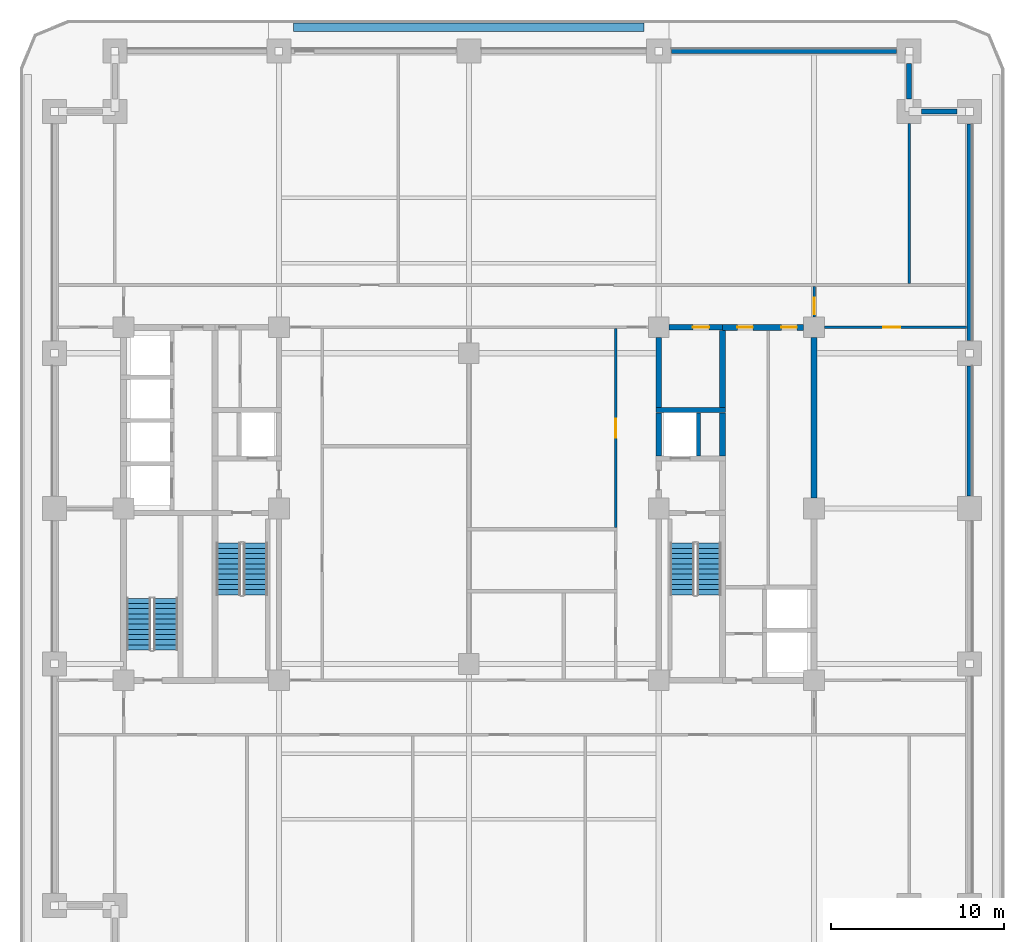
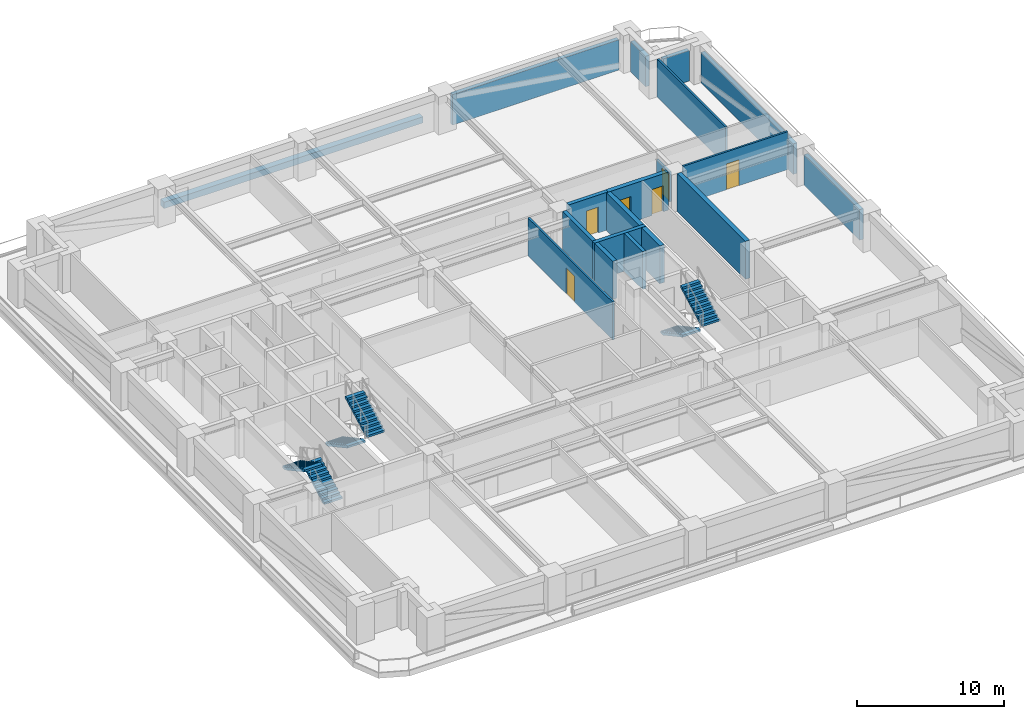
# One storey, part 5 of 12: 19 walls, 6 doors, 6 stair flights, 6 openings, 3 elements without a shape of their own.
"""IFC4 building model written with IfcOpenShell, lengths in metres."""

from ifc_helpers import new_model, si_unit, direction, frame, frame_2d, origin, place, context, subcontext, project, spatial, polyline, rectangle, outline, extrude, material, layer, layer_set, type_object, element, fill, aggregate, save


model = new_model("IFC4")

# Units and contexts
model_context = context("Model", 3, precision=1e-05, world=origin(), true_north=direction((0.0, 1.0)))
body_context = subcontext(model_context, "Body", "Model", "MODEL_VIEW")
ifc_project = project(units=[si_unit("LENGTHUNIT", "METRE"), si_unit("AREAUNIT", "SQUARE_METRE"), si_unit("VOLUMEUNIT", "CUBIC_METRE"), si_unit("PLANEANGLEUNIT", "RADIAN"), si_unit("MASSUNIT", "GRAM", prefix="KILO")], contexts=[model_context])

# Site, building, storey
site_placement = place(None, origin())
site = spatial("IfcSite", under=ifc_project, at=site_placement, CompositionType="ELEMENT")
building_placement = place(site_placement, origin())
building = spatial("IfcBuilding", under=site, at=building_placement, Name="Zulmaris Gate Convention Tower", CompositionType="ELEMENT")
storey_placement = place(building_placement, frame((0.0, 0.0, 48.6201171875)))
storey = spatial("IfcBuildingStorey", under=building, at=storey_placement, Name="L11", CompositionType="ELEMENT", Elevation=48.6201171875)

# Walls
ifc_material_1 = material(Name="Concrete C50/60", Category="concrete")
ifc_layer_1 = layer(ifc_material_1, 0.25, Name="Concrete C50/60")
ifc_layer_set_1 = layer_set([ifc_layer_1], Name="Concrete C50/60")
wall_type_1 = type_object("IfcWallType", Name="CORE-250", PredefinedType="SOLIDWALL", material=ifc_layer_set_1)
wall_1_placement = place(storey_placement, frame((13.300048828125, 3.052001953125, 0.0), z_axis=(0.0, 0.0, 1.0), x_axis=(0.0, 1.0, 0.0)))
element("IfcWall", 1, at=wall_1_placement, inside=storey, type_object=wall_type_1, Name="WL-L11-059", PredefinedType="SOLIDWALL", context=body_context, shape_type="SweptSolid", body=[
    extrude(rectangle(XDim=2.49609375, YDim=0.25, at=frame_2d((1.248046875, 0.0))), origin(), (0.0, 0.0, 1.0), 3.144775390625),
])
ifc_layer_2 = layer(ifc_material_1, 0.300048828125, Name="Concrete C50/60")
ifc_layer_set_2 = layer_set([ifc_layer_2], Name="Concrete C50/60")
wall_type_2 = type_object("IfcWallType", Name="CORE-300", PredefinedType="SHEAR", material=ifc_layer_set_2)
wall_2_placement = place(storey_placement, frame((10.85009765625, 5.699951171875, 0.0), z_axis=(0.0, 0.0, 1.0), x_axis=(1.0, 0.0, 0.0)))
element("IfcWall", 2, at=wall_2_placement, inside=storey, type_object=wall_type_2, Name="WL-L11-014", PredefinedType="SHEAR", context=body_context, shape_type="SweptSolid", body=[
    extrude(rectangle(XDim=4.02490234375, YDim=0.300048828125, at=frame_2d((2.012451171875, 0.0))), origin(), (0.0, 0.0, 1.0), 3.144775390625),
])

# Wall, opening, door
wall_3_placement = place(storey_placement, frame((11.60400390625, 10.5, 0.0), z_axis=(0.0, 0.0, 1.0), x_axis=(1.0, 0.0, 0.0)))
wall_3 = element("IfcWall", 3, at=wall_3_placement, inside=storey, type_object=wall_type_2, Name="WL-L11-018", PredefinedType="SHEAR", context=body_context, shape_type="SweptSolid", body=[
    extrude(rectangle(XDim=3.095947265625, YDim=0.300048828125, at=frame_2d((1.5478515625, 0.0))), origin(), (0.0, 0.0, 1.0), 3.144775390625),
])
opening_1_placement = place(wall_3_placement, frame((1.37109375, 0.0, 0.0)))
opening_1 = element("IfcOpeningElement", 4, at=opening_1_placement, cuts=wall_3, Name="Opening D-11", PredefinedType="OPENING", context=body_context, shape_type="SweptSolid", body=[
    extrude(rectangle(XDim=0.949951171875, YDim=2.14990234375, at=frame_2d((0.47509765625, 1.074951171875))), frame((0.0, 0.16015625, 0.0), z_axis=(0.0, -1.0, 0.0), x_axis=(1.0, 0.0, 0.0)), (0.0, 0.0, 1.0), 0.320068359375),
])
ifc_material_2 = material(Name="Fire-Rated Timber", Category="wood")
door_type_1 = type_object("IfcDoorType", Name="DR-950-FD", OperationType="NOTDEFINED", PredefinedType="DOOR", material=ifc_material_2)
door_1_placement = place(opening_1_placement, origin())
door_1 = element("IfcDoor", 5, at=door_1_placement, inside=storey, type_object=door_type_1, Name="L11 Core Tea Pantry Door 09", OperationType="SINGLE_SWING_RIGHT", OverallHeight=2.14990234375, OverallWidth=0.949951171875, PredefinedType="DOOR", context=body_context, shape_type="SweptSolid", body=[
    extrude(rectangle(XDim=0.949951171875, YDim=2.14990234375, at=frame_2d((0.47509765625, 1.074951171875))), frame((0.0, 0.02490234375, 0.0), z_axis=(0.0, -1.0, 0.0), x_axis=(1.0, 0.0, 0.0)), (0.0, 0.0, 1.0), 0.050048828125),
])
fill(opening_1, door_1)

# Walls
wall_4_placement = place(storey_placement, frame((11.0, 3.052001953125, 0.0), z_axis=(0.0, 0.0, 1.0), x_axis=(0.0, 1.0, 0.0)))
element("IfcWall", 6, at=wall_4_placement, inside=storey, type_object=wall_type_2, Name="WL-L11-056", PredefinedType="SHEAR", context=body_context, shape_type="SweptSolid", body=[
    extrude(rectangle(XDim=2.49609375, YDim=0.300048828125, at=frame_2d((1.248046875, 0.0))), origin(), (0.0, 0.0, 1.0), 3.144775390625),
])
wall_5_placement = place(storey_placement, frame((11.0, 5.85205078125, 0.0), z_axis=(0.0, 0.0, 1.0), x_axis=(0.0, 1.0, 0.0)))
element("IfcWall", 7, at=wall_5_placement, inside=storey, type_object=wall_type_2, Name="WL-L11-057", PredefinedType="SHEAR", context=body_context, shape_type="SweptSolid", body=[
    extrude(rectangle(XDim=4.0439453125, YDim=0.300048828125, at=frame_2d((2.02197265625, 0.0))), origin(), (0.0, 0.0, 1.0), 3.144775390625),
])

# Wall, openings, doors
ifc_material_3 = material(Name="Concrete C55/67", Category="concrete")
ifc_layer_3 = layer(ifc_material_3, 0.35009765625, Name="Concrete C55/67")
ifc_layer_set_3 = layer_set([ifc_layer_3], Name="Concrete C55/67")
wall_type_3 = type_object("IfcWallType", Name="CORE-350", PredefinedType="SHEAR", material=ifc_layer_set_3)
wall_6_placement = place(storey_placement, frame((14.699951171875, 10.5, 0.0), z_axis=(0.0, 0.0, 1.0), x_axis=(1.0, 0.0, 0.0)))
wall_6 = element("IfcWall", 8, at=wall_6_placement, inside=storey, type_object=wall_type_3, Name="WL-L11-019", PredefinedType="SHEAR", context=body_context, shape_type="SweptSolid", body=[
    extrude(rectangle(XDim=4.696044921875, YDim=0.35009765625, at=frame_2d((2.34814453125, 0.0))), origin(), (0.0, 0.0, 1.0), 3.144775390625),
])
opening_2_placement = place(wall_6_placement, frame((0.85009765625, 0.0, 0.0)))
opening_2 = element("IfcOpeningElement", 9, at=opening_2_placement, cuts=wall_6, Name="Opening D-12", PredefinedType="OPENING", context=body_context, shape_type="SweptSolid", body=[
    extrude(rectangle(XDim=0.89990234375, YDim=2.14990234375, at=frame_2d((0.449951171875, 1.074951171875))), frame((0.0, 0.18505859375, 0.0), z_axis=(0.0, -1.0, 0.0), x_axis=(1.0, 0.0, 0.0)), (0.0, 0.0, 1.0), 0.3701171875),
])
opening_3_placement = place(wall_6_placement, frame((3.39990234375, 0.0, 0.0)))
opening_3 = element("IfcOpeningElement", 10, at=opening_3_placement, cuts=wall_6, Name="Opening D-12", PredefinedType="OPENING", context=body_context, shape_type="SweptSolid", body=[
    extrude(rectangle(XDim=0.89990234375, YDim=2.14990234375, at=frame_2d((0.449951171875, 1.074951171875))), frame((0.0, 0.18505859375, 0.0), z_axis=(0.0, -1.0, 0.0), x_axis=(1.0, 0.0, 0.0)), (0.0, 0.0, 1.0), 0.3701171875),
])
door_type_2 = type_object("IfcDoorType", Name="DR-900-FD", OperationType="NOTDEFINED", PredefinedType="DOOR", material=ifc_material_2)
door_2_placement = place(opening_2_placement, origin())
door_2 = element("IfcDoor", 11, at=door_2_placement, inside=storey, type_object=door_type_2, Name="L11 East IT Room Door 18", OperationType="SINGLE_SWING_LEFT", OverallHeight=2.14990234375, OverallWidth=0.89990234375, PredefinedType="DOOR", context=body_context, shape_type="SweptSolid", body=[
    extrude(rectangle(XDim=0.89990234375, YDim=2.14990234375, at=frame_2d((0.449951171875, 1.074951171875))), frame((0.0, 0.02490234375, 0.0), z_axis=(0.0, -1.0, 0.0), x_axis=(1.0, 0.0, 0.0)), (0.0, 0.0, 1.0), 0.050048828125),
])
fill(opening_2, door_2)
door_3_placement = place(opening_3_placement, origin())
door_3 = element("IfcDoor", 12, at=door_3_placement, inside=storey, type_object=door_type_2, Name="L11 East Linen Store Door 19", OperationType="SINGLE_SWING_RIGHT", OverallHeight=2.14990234375, OverallWidth=0.89990234375, PredefinedType="DOOR", context=body_context, shape_type="SweptSolid", body=[
    extrude(rectangle(XDim=0.89990234375, YDim=2.14990234375, at=frame_2d((0.449951171875, 1.074951171875))), frame((0.0, 0.02490234375, 0.0), z_axis=(0.0, -1.0, 0.0), x_axis=(1.0, 0.0, 0.0)), (0.0, 0.0, 1.0), 0.050048828125),
])
fill(opening_3, door_3)

# Walls
wall_7_placement = place(storey_placement, frame((14.699951171875, 3.052001953125, 0.0), z_axis=(0.0, 0.0, 1.0), x_axis=(0.0, 1.0, 0.0)))
element("IfcWall", 13, at=wall_7_placement, inside=storey, type_object=wall_type_3, Name="WL-L11-062", PredefinedType="SHEAR", context=body_context, shape_type="SweptSolid", body=[
    extrude(rectangle(XDim=2.49609375, YDim=0.35009765625, at=frame_2d((1.248046875, 0.0))), origin(), (0.0, 0.0, 1.0), 3.144775390625),
])
wall_8_placement = place(storey_placement, frame((14.699951171875, 5.85205078125, 0.0), z_axis=(0.0, 0.0, 1.0), x_axis=(0.0, 1.0, 0.0)))
element("IfcWall", 14, at=wall_8_placement, inside=storey, type_object=wall_type_3, Name="WL-L11-063", PredefinedType="SHEAR", context=body_context, shape_type="SweptSolid", body=[
    extrude(rectangle(XDim=4.470947265625, YDim=0.35009765625, at=frame_2d((2.2353515625, 0.0))), origin(), (0.0, 0.0, 1.0), 3.144775390625),
])
wall_9_placement = place(storey_placement, frame((20.0, 0.60400390625, 0.0), z_axis=(0.0, 0.0, 1.0), x_axis=(0.0, 1.0, 0.0)))
element("IfcWall", 15, at=wall_9_placement, inside=storey, type_object=wall_type_3, Name="WL-L11-068S1", PredefinedType="SHEAR", context=body_context, shape_type="SweptSolid", body=[
    extrude(rectangle(XDim=9.2919921875, YDim=0.35009765625, at=frame_2d((4.64599609375, 0.0))), origin(), (0.0, 0.0, 1.0), 3.144775390625),
])

# Wall, opening, door
ifc_material_4 = material(Name="Gypsum Metal Stud Partition")
ifc_layer_4 = layer(ifc_material_4, 0.14990234375, Name="Gypsum Metal Stud Partition")
ifc_layer_set_4 = layer_set([ifc_layer_4], Name="Gypsum Metal Stud Partition")
wall_type_4 = type_object("IfcWallType", Name="PART-150", PredefinedType="PARTITIONING", material=ifc_layer_set_4)
wall_10_placement = place(storey_placement, frame((20.60595703125, 10.5, 0.0), z_axis=(0.0, 0.0, 1.0), x_axis=(1.0, 0.0, 0.0)))
wall_10 = element("IfcWall", 16, at=wall_10_placement, inside=storey, type_object=wall_type_4, Name="WL-L11-032", PredefinedType="PARTITIONING", context=body_context, shape_type="SweptSolid", body=[
    extrude(rectangle(XDim=8.22900390625, YDim=0.14990234375, at=frame_2d((4.114501953125, 0.0))), origin(), (0.0, 0.0, 1.0), 3.144775390625),
])
opening_4_placement = place(wall_10_placement, frame((3.39404296875, 0.0, 0.0)))
opening_4 = element("IfcOpeningElement", 17, at=opening_4_placement, cuts=wall_10, Name="Opening D-10", PredefinedType="OPENING", context=body_context, shape_type="SweptSolid", body=[
    extrude(rectangle(XDim=1.0, YDim=2.14990234375, at=frame_2d((0.5, 1.074951171875))), frame((0.0, 0.0849609375, 0.0), z_axis=(0.0, -1.0, 0.0), x_axis=(1.0, 0.0, 0.0)), (0.0, 0.0, 1.0), 0.169921875),
])
door_type_3 = type_object("IfcDoorType", Name="DR-1000-FD", OperationType="NOTDEFINED", PredefinedType="DOOR", material=ifc_material_2)
door_4_placement = place(opening_4_placement, origin())
door_4 = element("IfcDoor", 18, at=door_4_placement, inside=storey, type_object=door_type_3, Name="L11 East Workplace North Door 42", OperationType="SINGLE_SWING_LEFT", OverallHeight=2.14990234375, OverallWidth=1.0, PredefinedType="DOOR", context=body_context, shape_type="SweptSolid", body=[
    extrude(rectangle(XDim=1.0, YDim=2.14990234375, at=frame_2d((0.5, 1.074951171875))), frame((0.0, 0.02490234375, 0.0), z_axis=(0.0, -1.0, 0.0), x_axis=(1.0, 0.0, 0.0)), (0.0, 0.0, 1.0), 0.050048828125),
])
fill(opening_4, door_4)

wall_11_placement = place(storey_placement, frame((8.5, -1.096923828125, 0.0), z_axis=(0.0, 0.0, 1.0), x_axis=(0.0, 1.0, 0.0)))
wall_11 = element("IfcWall", 19, at=wall_11_placement, inside=storey, type_object=wall_type_4, Name="WL-L11-087", PredefinedType="PARTITIONING", context=body_context, shape_type="SweptSolid", body=[
    extrude(rectangle(XDim=11.51904296875, YDim=0.14990234375, at=frame_2d((5.759521484375, 0.0))), origin(), (0.0, 0.0, 1.0), 3.144775390625),
])
opening_5_placement = place(wall_11_placement, frame((5.197021484375, 0.0, 0.0)))
opening_5 = element("IfcOpeningElement", 20, at=opening_5_placement, cuts=wall_11, Name="Opening D-08", PredefinedType="OPENING", context=body_context, shape_type="SweptSolid", body=[
    extrude(rectangle(XDim=1.10009765625, YDim=2.14990234375, at=frame_2d((0.550048828125, 1.074951171875))), frame((0.0, 0.0849609375, 0.0), z_axis=(0.0, -1.0, 0.0), x_axis=(1.0, 0.0, 0.0)), (0.0, 0.0, 1.0), 0.169921875),
])
ifc_material_5 = material(Name="Fire-Rated Steel", Category="steel")
door_type_4 = type_object("IfcDoorType", Name="DR-1100-FD", OperationType="NOTDEFINED", PredefinedType="DOOR", material=ifc_material_5)
door_5_placement = place(opening_5_placement, origin())
door_5 = element("IfcDoor", 21, at=door_5_placement, inside=storey, type_object=door_type_4, Name="L11 Seminar Forum Door 32", OperationType="SINGLE_SWING_LEFT", OverallHeight=2.14990234375, OverallWidth=1.10009765625, PredefinedType="DOOR", context=body_context, shape_type="SweptSolid", body=[
    extrude(rectangle(XDim=1.10009765625, YDim=2.14990234375, at=frame_2d((0.550048828125, 1.074951171875))), frame((0.0, 0.02490234375, 0.0), z_axis=(0.0, -1.0, 0.0), x_axis=(1.0, 0.0, 0.0)), (0.0, 0.0, 1.0), 0.050048828125),
])
fill(opening_5, door_5)

wall_12_placement = place(storey_placement, frame((20.0, 11.10595703125, 0.0), z_axis=(0.0, 0.0, 1.0), x_axis=(0.0, 1.0, 0.0)))
wall_12 = element("IfcWall", 22, at=wall_12_placement, inside=storey, type_object=wall_type_4, Name="WL-L11-090", PredefinedType="PARTITIONING", context=body_context, shape_type="SweptSolid", body=[
    extrude(rectangle(XDim=1.76611328125, YDim=0.14990234375, at=frame_2d((0.883056640625, 0.0))), origin(), (0.0, 0.0, 1.0), 2.48486328125),
])
opening_6_placement = place(wall_12_placement, frame((0.14990234375, 0.0, 0.0)))
opening_6 = element("IfcOpeningElement", 23, at=opening_6_placement, cuts=wall_12, Name="Opening D-11", PredefinedType="OPENING", context=body_context, shape_type="SweptSolid", body=[
    extrude(rectangle(XDim=0.949951171875, YDim=2.14990234375, at=frame_2d((0.47509765625, 1.074951171875))), frame((0.0, 0.0849609375, 0.0), z_axis=(0.0, -1.0, 0.0), x_axis=(1.0, 0.0, 0.0)), (0.0, 0.0, 1.0), 0.169921875),
])
door_6_placement = place(opening_6_placement, origin())
door_6 = element("IfcDoor", 24, at=door_6_placement, inside=storey, type_object=door_type_1, Name="L11 NE Spur Door 40", OperationType="SINGLE_SWING_LEFT", OverallHeight=2.14990234375, OverallWidth=0.949951171875, PredefinedType="DOOR", context=body_context, shape_type="SweptSolid", body=[
    extrude(rectangle(XDim=0.949951171875, YDim=2.14990234375, at=frame_2d((0.47509765625, 1.074951171875))), frame((0.0, 0.02490234375, 0.0), z_axis=(0.0, -1.0, 0.0), x_axis=(1.0, 0.0, 0.0)), (0.0, 0.0, 1.0), 0.050048828125),
])
fill(opening_6, door_6)

# Walls
wall_13_placement = place(storey_placement, frame((25.5, 13.028076171875, 0.0), z_axis=(0.0, 0.0, 1.0), x_axis=(0.0, 1.0, 0.0)))
element("IfcWall", 25, at=wall_13_placement, inside=storey, type_object=wall_type_4, Name="WL-L11-092", PredefinedType="PARTITIONING", context=body_context, shape_type="SweptSolid", body=[
    extrude(rectangle(XDim=9.265869140625, YDim=0.14990234375, at=frame_2d((4.6328125, 0.0))), origin(), (0.0, 0.0, 1.0), 3.144775390625),
])
ifc_material_6 = material(Name="Botanical Green Glazed Precast Concrete C40/50", Category="concrete")
ifc_layer_5 = layer(ifc_material_6, 0.419921875, Name="Botanical Green Glazed Precast Concrete C40/50")
ifc_layer_set_5 = layer_set([ifc_layer_5], Name="Botanical Green Glazed Precast Concrete C40/50")
wall_type_5 = type_object("IfcWallType", Name="PLANTER-CURB-200", PredefinedType="PARAPET", material=ifc_layer_set_5)
wall_14_placement = place(storey_placement, frame((-10.14990234375, 27.8798828125, -0.0400390625), z_axis=(0.0, 0.0, 1.0), x_axis=(1.0, 0.0, 0.0)))
element("IfcWall", 26, at=wall_14_placement, inside=storey, type_object=wall_type_5, Name="L11 Full-Length Balcony Tree Planter Trough", PredefinedType="PARAPET", context=body_context, shape_type="SweptSolid", body=[
    extrude(rectangle(XDim=20.2998046875, YDim=0.47998046875, at=frame_2d((10.14990234375, 0.0))), origin(), (0.0, 0.0, 1.0), 0.52001953125),
])
ifc_material_7 = material(Name="Precast concrete C40/50", Category="concrete")
ifc_layer_6 = layer(ifc_material_7, 0.300048828125, Name="Precast concrete C40/50")
ifc_layer_set_6 = layer_set([ifc_layer_6], Name="Precast concrete C40/50")
wall_type_6 = type_object("IfcWallType", Name="PRECAST-PIER-300", PredefinedType="STANDARD", material=ifc_layer_set_6)
for number, where, z_axis, x_axis, name in (
    (27, (28.27001953125, 23.0, 0.0), (0.0, 0.0, 1.0), (-1.0, 0.0, 0.0), "EW-L11-NOTCH-NE1_0"),
    (28, (25.5, 23.72998046875, 0.0), (0.0, 0.0, 1.0), (0.0, 1.0, 0.0), "EW-L11-NOTCH-NE2_0"),
):
    element("IfcWall", number, at=place(storey_placement, frame(where, z_axis=z_axis, x_axis=x_axis)), inside=storey, type_object=wall_type_6, Name=name, PredefinedType="STANDARD", context=body_context, shape_type="SweptSolid", body=[
        extrude(rectangle(XDim=2.0400390625, YDim=0.300048828125, at=frame_2d((1.02001953125, 0.0))), origin(), (0.0, 0.0, 1.0), 2.536865234375),
    ])
wall_15_placement = place(storey_placement, frame((24.77001953125, 26.5, 0.0), z_axis=(0.0, 0.0, 1.0), x_axis=(-1.0, 0.0, 0.0)))
element("IfcWall", 29, at=wall_15_placement, inside=storey, type_object=wall_type_6, Name="EW-L11-N-3_0", PredefinedType="STANDARD", context=body_context, shape_type="SweptSolid", body=[
    extrude(rectangle(XDim=13.0400390625, YDim=0.300048828125, at=frame_2d((6.52001953125, 0.0))), origin(), (0.0, 0.0, 1.0), 2.536865234375),
])
wall_16_placement = place(storey_placement, frame((29.0, 0.72998046875, 0.0), z_axis=(0.0, 0.0, 1.0), x_axis=(0.0, 1.0, 0.0)))
element("IfcWall", 30, at=wall_16_placement, inside=storey, type_object=wall_type_6, Name="EW-L11-E-2_0", PredefinedType="STANDARD", context=body_context, shape_type="SweptSolid", body=[
    extrude(rectangle(XDim=7.5400390625, YDim=0.300048828125, at=frame_2d((3.77001953125, 0.0))), origin(), (0.0, 0.0, 1.0), 2.536865234375),
])
wall_17_placement = place(storey_placement, frame((29.0, 9.72998046875, 0.0), z_axis=(0.0, 0.0, 1.0), x_axis=(0.0, 1.0, 0.0)))
element("IfcWall", 31, at=wall_17_placement, inside=storey, type_object=wall_type_6, Name="EW-L11-E-3_0", PredefinedType="STANDARD", context=body_context, shape_type="SweptSolid", body=[
    extrude(rectangle(XDim=12.5400390625, YDim=0.300048828125, at=frame_2d((6.27001953125, 0.0))), origin(), (0.0, 0.0, 1.0), 2.536865234375),
])

# Stair, stair flights
ifc_material_8 = material(Name="Concrete C45/55", Category="concrete")
stair_type = type_object("IfcStairType", Name="ST-CORE-DOGLEG", PredefinedType="HALF_TURN_STAIR", material=ifc_material_8)
stair_1_placement = place(storey_placement, origin())
stair_1 = element("IfcStair", 32, at=stair_1_placement, inside=storey, type_object=stair_type, Name="L11 Core Exit Stair ST-1", PredefinedType="HALF_TURN_STAIR")
ifc_layer_7 = layer(ifc_material_8, 0.14990234375, Name="Concrete C45/55")
ifc_layer_set_7 = layer_set([ifc_layer_7], Name="Concrete C45/55")
stair_flight_type = type_object("IfcStairFlightType", Name="STF-RC150", PredefinedType="STRAIGHT", material=ifc_layer_set_7)
stair_flight_1_placement = place(storey_placement, frame((-13.919921875, -2.0, 0.0), z_axis=(0.0, 0.0, 1.0), x_axis=(0.0, -1.0, 0.0)))
stair_flight_1 = element("IfcStairFlight", 33, at=stair_flight_1_placement, type_object=stair_flight_type, Name="ST-1 flight 1", NumberOfRisers=11, NumberOfTreads=10, PredefinedType="STRAIGHT", RiserHeight=0.162263636, TreadLength=0.3, context=body_context, shape_type="SweptSolid", body=[
    extrude(outline(polyline([(0.0, 0.0), (0.0, 0.162353515625), (0.300048828125, 0.162353515625), (0.300048828125, 0.324462890625), (0.60009765625, 0.324462890625), (0.60009765625, 0.48681640625), (0.89990234375, 0.48681640625), (0.89990234375, 0.649169921875), (1.199951171875, 0.649169921875), (1.199951171875, 0.811279296875), (1.5, 0.811279296875), (1.5, 0.9736328125), (1.800048828125, 0.9736328125), (1.800048828125, 1.1357421875), (2.10009765625, 1.1357421875), (2.10009765625, 1.298095703125), (2.39990234375, 1.298095703125), (2.39990234375, 1.46044921875), (2.699951171875, 1.46044921875), (2.699951171875, 1.62255859375), (3.0, 1.62255859375), (3.0, 1.784912109375), (3.0, 1.4521484375), (0.315185546875, 0.0), (0.0, 0.0)])), frame((0.0, 0.699951171875, 0.0), z_axis=(0.0, -1.0, 0.0), x_axis=(1.0, 0.0, 0.0)), (0.0, 0.0, 1.0), 1.39990234375),
])
stair_flight_2_placement = place(storey_placement, frame((-12.360107421875, -5.0, 1.784912109375), z_axis=(0.0, 0.0, 1.0), x_axis=(0.0, 1.0, 0.0)))
stair_flight_2 = element("IfcStairFlight", 34, at=stair_flight_2_placement, type_object=stair_flight_type, Name="ST-1 flight 2", NumberOfRisers=11, NumberOfTreads=10, PredefinedType="STRAIGHT", RiserHeight=0.162263636, TreadLength=0.3, context=body_context, shape_type="SweptSolid", body=[
    extrude(outline(polyline([(0.0, 0.0), (0.0, 0.162353515625), (0.300048828125, 0.162353515625), (0.300048828125, 0.324462890625), (0.60009765625, 0.324462890625), (0.60009765625, 0.48681640625), (0.89990234375, 0.48681640625), (0.89990234375, 0.649169921875), (1.199951171875, 0.649169921875), (1.199951171875, 0.811279296875), (1.5, 0.811279296875), (1.5, 0.9736328125), (1.800048828125, 0.9736328125), (1.800048828125, 1.1357421875), (2.10009765625, 1.1357421875), (2.10009765625, 1.298095703125), (2.39990234375, 1.298095703125), (2.39990234375, 1.46044921875), (2.699951171875, 1.46044921875), (2.699951171875, 1.62255859375), (3.0, 1.62255859375), (3.0, 1.784912109375), (3.0, 1.4521484375), (0.315185546875, 0.0), (0.0, 0.0)])), frame((0.0, 0.699951171875, 0.0), z_axis=(0.0, -1.0, 0.0), x_axis=(1.0, 0.0, 0.0)), (0.0, 0.0, 1.0), 1.39990234375),
])
aggregate(stair_1, [stair_flight_1, stair_flight_2])

stair_2_placement = place(storey_placement, origin())
stair_2 = element("IfcStair", 35, at=stair_2_placement, inside=storey, type_object=stair_type, Name="L11 Core Exit Stair ST-2", PredefinedType="HALF_TURN_STAIR")
stair_flight_3_placement = place(storey_placement, frame((12.360107421875, -2.0, 0.0), z_axis=(0.0, 0.0, 1.0), x_axis=(0.0, -1.0, 0.0)))
stair_flight_3 = element("IfcStairFlight", 36, at=stair_flight_3_placement, type_object=stair_flight_type, Name="ST-2 flight 1", NumberOfRisers=11, NumberOfTreads=10, PredefinedType="STRAIGHT", RiserHeight=0.162263636, TreadLength=0.3, context=body_context, shape_type="SweptSolid", body=[
    extrude(outline(polyline([(0.0, 0.0), (0.0, 0.162353515625), (0.300048828125, 0.162353515625), (0.300048828125, 0.324462890625), (0.60009765625, 0.324462890625), (0.60009765625, 0.48681640625), (0.89990234375, 0.48681640625), (0.89990234375, 0.649169921875), (1.199951171875, 0.649169921875), (1.199951171875, 0.811279296875), (1.5, 0.811279296875), (1.5, 0.9736328125), (1.800048828125, 0.9736328125), (1.800048828125, 1.1357421875), (2.10009765625, 1.1357421875), (2.10009765625, 1.298095703125), (2.39990234375, 1.298095703125), (2.39990234375, 1.46044921875), (2.699951171875, 1.46044921875), (2.699951171875, 1.62255859375), (3.0, 1.62255859375), (3.0, 1.784912109375), (3.0, 1.4521484375), (0.315185546875, 0.0), (0.0, 0.0)])), frame((0.0, 0.699951171875, 0.0), z_axis=(0.0, -1.0, 0.0), x_axis=(1.0, 0.0, 0.0)), (0.0, 0.0, 1.0), 1.39990234375),
])
stair_flight_4_placement = place(storey_placement, frame((13.919921875, -5.0, 1.784912109375), z_axis=(0.0, 0.0, 1.0), x_axis=(0.0, 1.0, 0.0)))
stair_flight_4 = element("IfcStairFlight", 37, at=stair_flight_4_placement, type_object=stair_flight_type, Name="ST-2 flight 2", NumberOfRisers=11, NumberOfTreads=10, PredefinedType="STRAIGHT", RiserHeight=0.162263636, TreadLength=0.3, context=body_context, shape_type="SweptSolid", body=[
    extrude(outline(polyline([(0.0, 0.0), (0.0, 0.162353515625), (0.300048828125, 0.162353515625), (0.300048828125, 0.324462890625), (0.60009765625, 0.324462890625), (0.60009765625, 0.48681640625), (0.89990234375, 0.48681640625), (0.89990234375, 0.649169921875), (1.199951171875, 0.649169921875), (1.199951171875, 0.811279296875), (1.5, 0.811279296875), (1.5, 0.9736328125), (1.800048828125, 0.9736328125), (1.800048828125, 1.1357421875), (2.10009765625, 1.1357421875), (2.10009765625, 1.298095703125), (2.39990234375, 1.298095703125), (2.39990234375, 1.46044921875), (2.699951171875, 1.46044921875), (2.699951171875, 1.62255859375), (3.0, 1.62255859375), (3.0, 1.784912109375), (3.0, 1.4521484375), (0.315185546875, 0.0), (0.0, 0.0)])), frame((0.0, 0.699951171875, 0.0), z_axis=(0.0, -1.0, 0.0), x_axis=(1.0, 0.0, 0.0)), (0.0, 0.0, 1.0), 1.39990234375),
])
aggregate(stair_2, [stair_flight_3, stair_flight_4])

stair_3_placement = place(storey_placement, origin())
stair_3 = element("IfcStair", 38, at=stair_3_placement, inside=storey, type_object=stair_type, Name="L11 Core Exit Stair ST-3", PredefinedType="HALF_TURN_STAIR")
stair_flight_5_placement = place(storey_placement, frame((-17.56005859375, -8.199951171875, 0.0), z_axis=(0.0, 0.0, 1.0), x_axis=(0.0, 1.0, 0.0)))
stair_flight_5 = element("IfcStairFlight", 39, at=stair_flight_5_placement, type_object=stair_flight_type, Name="ST-3 flight 1", NumberOfRisers=11, NumberOfTreads=10, PredefinedType="STRAIGHT", RiserHeight=0.162263636, TreadLength=0.3, context=body_context, shape_type="SweptSolid", body=[
    extrude(outline(polyline([(0.0, 0.0), (0.0, 0.162353515625), (0.300048828125, 0.162353515625), (0.300048828125, 0.324462890625), (0.60009765625, 0.324462890625), (0.60009765625, 0.48681640625), (0.89990234375, 0.48681640625), (0.89990234375, 0.649169921875), (1.199951171875, 0.649169921875), (1.199951171875, 0.811279296875), (1.5, 0.811279296875), (1.5, 0.9736328125), (1.800048828125, 0.9736328125), (1.800048828125, 1.1357421875), (2.10009765625, 1.1357421875), (2.10009765625, 1.298095703125), (2.39990234375, 1.298095703125), (2.39990234375, 1.46044921875), (2.699951171875, 1.46044921875), (2.699951171875, 1.62255859375), (3.0, 1.62255859375), (3.0, 1.784912109375), (3.0, 1.4521484375), (0.315185546875, 0.0), (0.0, 0.0)])), frame((0.0, 0.699951171875, 0.0), z_axis=(0.0, -1.0, 0.0), x_axis=(1.0, 0.0, 0.0)), (0.0, 0.0, 1.0), 1.39990234375),
])
stair_flight_6_placement = place(storey_placement, frame((-19.1201171875, -5.199951171875, 1.784912109375), z_axis=(0.0, 0.0, 1.0), x_axis=(0.0, -1.0, 0.0)))
stair_flight_6 = element("IfcStairFlight", 40, at=stair_flight_6_placement, type_object=stair_flight_type, Name="ST-3 flight 2", NumberOfRisers=11, NumberOfTreads=10, PredefinedType="STRAIGHT", RiserHeight=0.162263636, TreadLength=0.3, context=body_context, shape_type="SweptSolid", body=[
    extrude(outline(polyline([(0.0, 0.0), (0.0, 0.162353515625), (0.300048828125, 0.162353515625), (0.300048828125, 0.324462890625), (0.60009765625, 0.324462890625), (0.60009765625, 0.48681640625), (0.89990234375, 0.48681640625), (0.89990234375, 0.649169921875), (1.199951171875, 0.649169921875), (1.199951171875, 0.811279296875), (1.5, 0.811279296875), (1.5, 0.9736328125), (1.800048828125, 0.9736328125), (1.800048828125, 1.1357421875), (2.10009765625, 1.1357421875), (2.10009765625, 1.298095703125), (2.39990234375, 1.298095703125), (2.39990234375, 1.46044921875), (2.699951171875, 1.46044921875), (2.699951171875, 1.62255859375), (3.0, 1.62255859375), (3.0, 1.784912109375), (3.0, 1.4521484375), (0.315185546875, 0.0), (0.0, 0.0)])), frame((0.0, 0.699951171875, 0.0), z_axis=(0.0, -1.0, 0.0), x_axis=(1.0, 0.0, 0.0)), (0.0, 0.0, 1.0), 1.39990234375),
])
aggregate(stair_3, [stair_flight_5, stair_flight_6])

save(model, "model.ifc")
